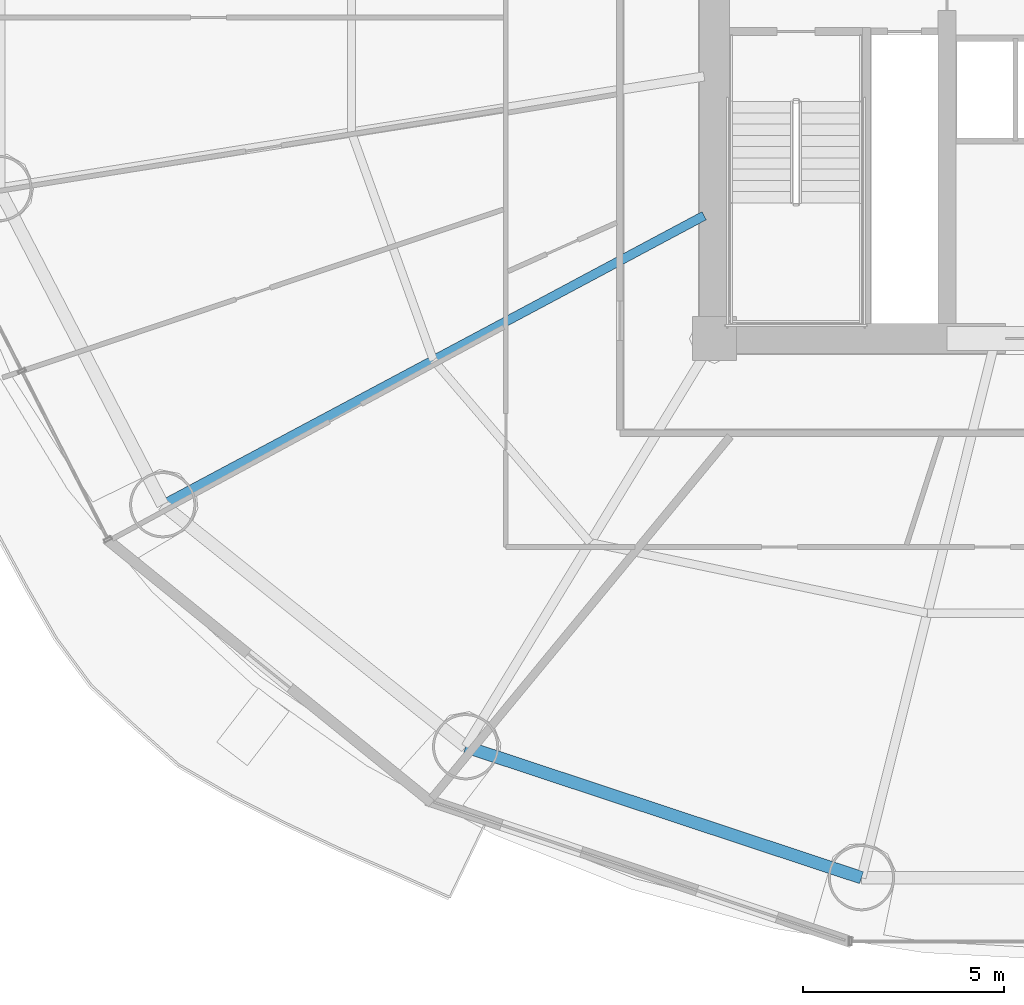
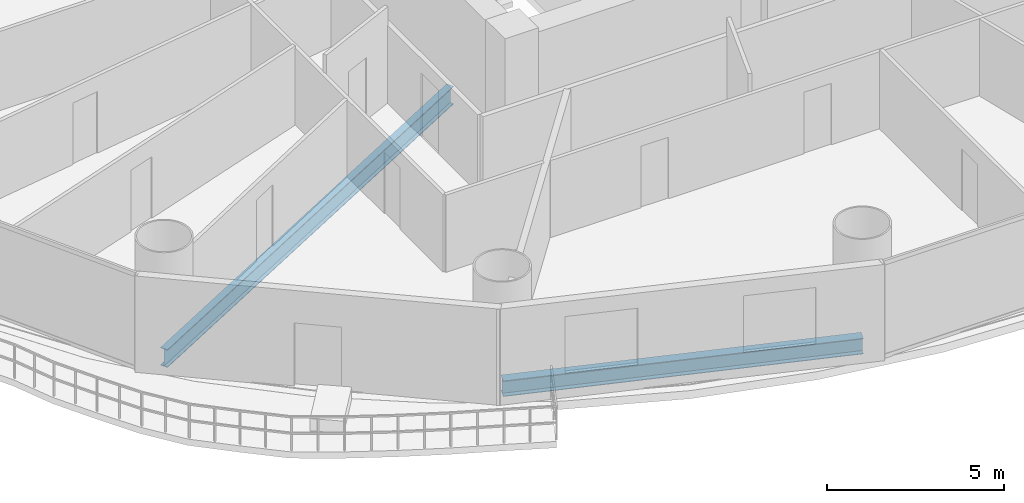
# One storey, part 3 of 29: 2 beams.
"""IFC4 building model written with IfcOpenShell, lengths in metres."""

from ifc_helpers import new_model, si_unit, direction, frame, origin, origin_2d, place, context, subcontext, project, spatial, i_section, extrude, material, material_profile, profile_set, type_object, element, save


model = new_model("IFC4")

# Units and contexts
model_context = context("Model", 3, precision=1e-05, world=origin(), true_north=direction((-0.2419218956, 0.970295726276)))
body_context = subcontext(model_context, "Body", "Model", "MODEL_VIEW")
ifc_project = project(units=[si_unit("LENGTHUNIT", "METRE"), si_unit("AREAUNIT", "SQUARE_METRE"), si_unit("VOLUMEUNIT", "CUBIC_METRE"), si_unit("PLANEANGLEUNIT", "RADIAN"), si_unit("MASSUNIT", "GRAM", prefix="KILO")], contexts=[model_context])

# Site, building, storey
site_placement = place(None, origin())
site = spatial("IfcSite", under=ifc_project, at=site_placement, CompositionType="ELEMENT")
building_placement = place(site_placement, origin())
building = spatial("IfcBuilding", under=site, at=building_placement, Name="Cobrevalo Terracotta Tower", CompositionType="ELEMENT")
storey_placement = place(building_placement, frame((0.0, 0.0, 52.800048828125)))
storey = spatial("IfcBuildingStorey", under=building, at=storey_placement, Name="L13", CompositionType="ELEMENT", Elevation=52.800048828125)

# Beams
ifc_material = material(Name="Steel S355", Category="steel")
ifc_material_profile_1 = material_profile(ifc_material, i_section(OverallWidth=0.22998046875, OverallDepth=0.616943359375, WebThickness=0.01318359375, FlangeThickness=0.022216796875, at=origin_2d()), Name="W 610x140")
ifc_profile_set_1 = profile_set([ifc_material_profile_1], Name="Steel S355")
beam_type_1 = type_object("IfcBeamType", Name="Structural Beam W 610x140 (Steel S355)", PredefinedType="BEAM", material=ifc_profile_set_1)
beam_1_placement = place(storey_placement, frame((15.25927734375, 14.660888671875, -0.588623046875), z_axis=(0.88218223571, 0.470908168329, 0.0), x_axis=(-0.470908168329, 0.88218223571, 0.0)))
element("IfcBeam", 1, at=beam_1_placement, inside=storey, type_object=beam_type_1, Name="L13 radial floor girder 10", PredefinedType="BEAM", context=body_context, shape_type="SweptSolid", body=[
    extrude(i_section(OverallWidth=0.22998046875, OverallDepth=0.616943359375, WebThickness=0.01318359375, FlangeThickness=0.022216796875, at=origin_2d()), origin(), (0.0, 0.0, 1.0), 15.286865234375),
])
ifc_material_profile_2 = material_profile(ifc_material, i_section(OverallWidth=0.31201171875, OverallDepth=0.54296875, WebThickness=0.0126953125, FlangeThickness=0.020263671875, at=origin_2d()), Name="W 530x150")
ifc_profile_set_2 = profile_set([ifc_material_profile_2], Name="Steel S355")
beam_type_2 = type_object("IfcBeamType", Name="Structural Spandrel W 530x150 (Steel S355)", PredefinedType="SPANDREL", material=ifc_profile_set_2)
beam_2_placement = place(storey_placement, frame((22.80517578125, 8.63232421875, -0.551513671875), z_axis=(0.949372202648, -0.314153498848, 0.0), x_axis=(0.314153498848, 0.949372202648, 0.0)))
element("IfcBeam", 2, at=beam_2_placement, inside=storey, type_object=beam_type_2, Name="L13 perimeter ring spandrel 11", PredefinedType="SPANDREL", context=body_context, shape_type="SweptSolid", body=[
    extrude(i_section(OverallWidth=0.31201171875, OverallDepth=0.54296875, WebThickness=0.0126953125, FlangeThickness=0.020263671875, at=origin_2d()), origin(), (0.0, 0.0, 1.0), 10.385009765625),
])

save(model, "model.ifc")
